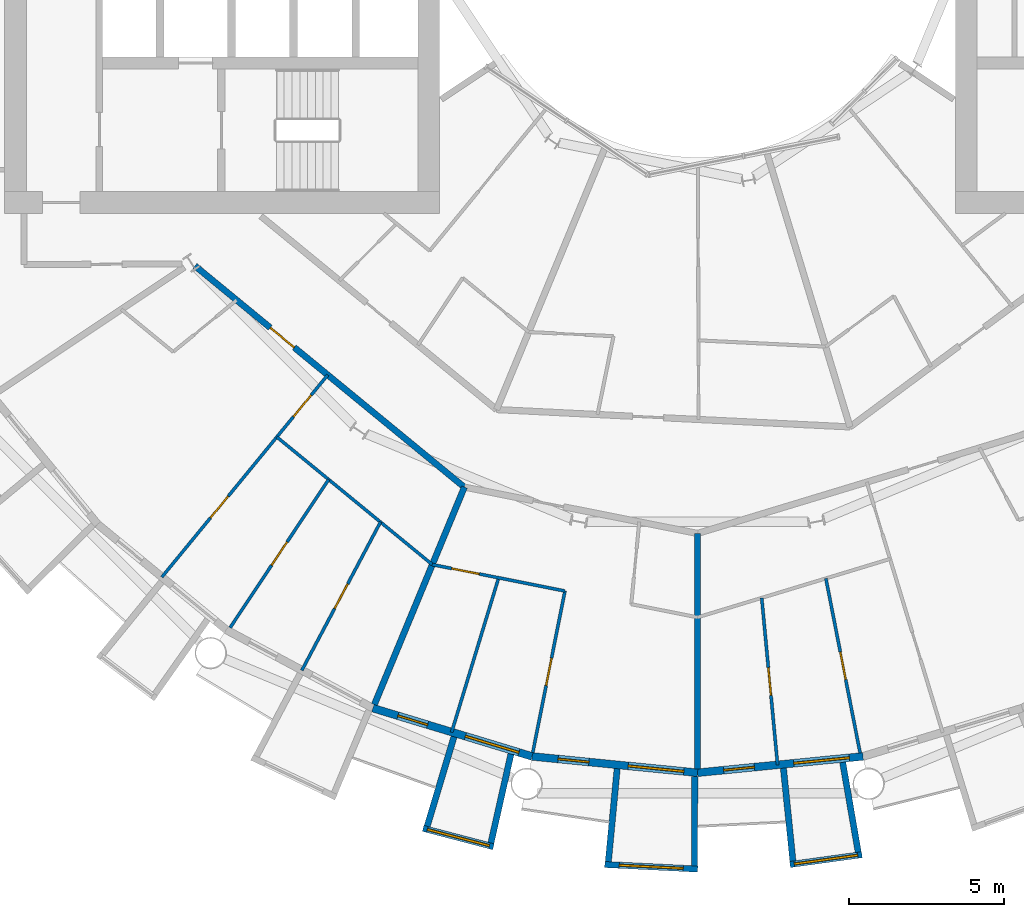
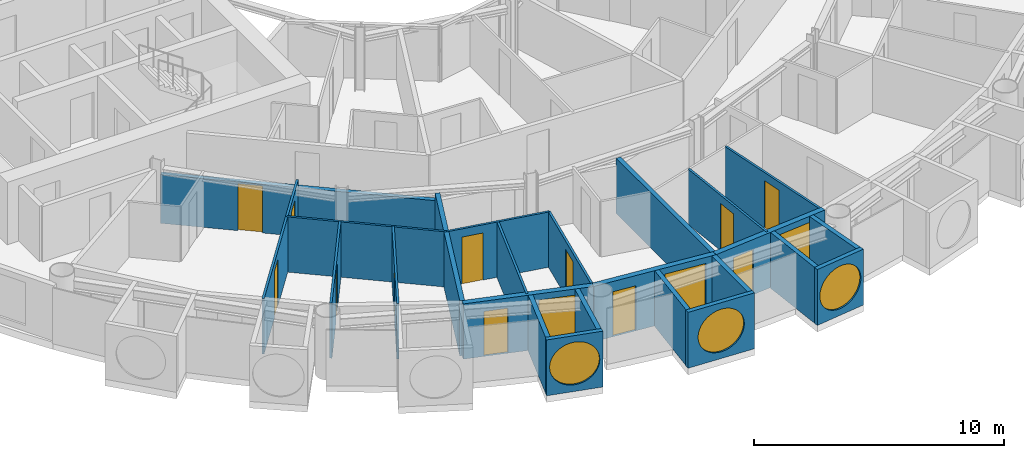
# One storey, part 13 of 26: 24 walls, 12 doors, 6 windows, 18 openings.
"""IFC4 building model written with IfcOpenShell, lengths in metres."""

import ifcopenshell
import ifcopenshell.guid

model = None  # the IFC model being written
_history = None  # IfcOwnerHistory: only IFC2X3 demands one
_inside = {}  # id of a spatial element -> (the spatial element, [elements in it])
_under = {}  # id of a project, library or spatial element -> (it, [spatial elements below it])
_declared = {}  # id of a project -> (the project, [libraries it declares])
_typed = {}  # id of a type object -> (the type object, [elements of that type])
_made_of = {}  # id of a material, layer set ... -> (it, [elements and type objects made of it])


def new_model(schema):
    """Start an empty IFC model of exactly this schema.

    Asked for "IFC4X3", IfcOpenShell would pick the latest addendum, in which some entities
    have other attributes; the version numbers below select the first issue.
    IFC2X3 requires an IfcOwnerHistory on every rooted entity: one is made here for all.
    """
    global model, _history
    if schema == "IFC4X3":
        model = ifcopenshell.file(schema_version=(4, 3, 0, 0))
    else:
        model = ifcopenshell.file(schema=schema)
    _inside.clear()
    _under.clear()
    _declared.clear()
    _typed.clear()
    _made_of.clear()
    _history = None
    if model.schema == "IFC2X3":
        org = make("IfcOrganization", Name="unknown")
        user = make(
            "IfcPersonAndOrganization",
            ThePerson=make("IfcPerson", FamilyName="unknown"),
            TheOrganization=org,
        )
        app = make(
            "IfcApplication",
            ApplicationDeveloper=org,
            Version="unknown",
            ApplicationFullName="unknown",
            ApplicationIdentifier="unknown",
        )
        _history = make(
            "IfcOwnerHistory",
            OwningUser=user,
            OwningApplication=app,
            ChangeAction="ADDED",
            CreationDate=0,
        )
    return model


def make(cls, **values):
    """One entity of the class cls with the attributes given. An attribute that is None is left unset."""
    return model.create_entity(
        cls, **{name: value for name, value in values.items() if value is not None}
    )


def rooted(cls, **values):
    """An entity with a GlobalId (a new one), such as an element, a storey or a relation."""
    return make(cls, GlobalId=ifcopenshell.guid.new(), OwnerHistory=_history, **values)


def si_unit(unit_type, name, prefix=None):
    """IfcSIUnit, for example si_unit("LENGTHUNIT", "METRE", prefix="MILLI")."""
    return make("IfcSIUnit", UnitType=unit_type, Prefix=prefix, Name=name)


def assignment(units):
    """IfcUnitAssignment: the units of a project."""
    return None if units is None else make("IfcUnitAssignment", Units=units)


def point(xyz):
    """IfcCartesianPoint."""
    return None if xyz is None else make("IfcCartesianPoint", Coordinates=xyz)


def direction(xyz):
    """IfcDirection."""
    return None if xyz is None else make("IfcDirection", DirectionRatios=xyz)


def frame(location, z_axis=None, x_axis=None):
    """IfcAxis2Placement3D, a coordinate frame: its origin and axes. An axis left out is left unset."""
    return make(
        "IfcAxis2Placement3D",
        Location=point(location),
        Axis=direction(z_axis),
        RefDirection=direction(x_axis),
    )


def frame_2d(location, x_axis=None):
    """IfcAxis2Placement2D, a coordinate frame in the plane: its origin and x axis."""
    return make(
        "IfcAxis2Placement2D", Location=point(location), RefDirection=direction(x_axis)
    )


def origin():
    """The frame at (0, 0, 0) with its axes left unset."""
    return frame((0.0, 0.0, 0.0))


def place(relative_to, where):
    """IfcLocalPlacement: puts the frame where relative to a parent placement (None: the world)."""
    return make(
        "IfcLocalPlacement", PlacementRelTo=relative_to, RelativePlacement=where
    )


def context(
    kind, dimensions, precision=None, world=None, true_north=None, identifier=None
):
    """IfcGeometricRepresentationContext, for example the 3D "Model" context."""
    return make(
        "IfcGeometricRepresentationContext",
        ContextIdentifier=identifier,
        ContextType=kind,
        CoordinateSpaceDimension=dimensions,
        Precision=precision,
        WorldCoordinateSystem=world,
        TrueNorth=true_north,
    )


def subcontext(parent, identifier, kind, view, scale=None):
    """IfcGeometricRepresentationSubContext, for example "Body" below "Model"."""
    return make(
        "IfcGeometricRepresentationSubContext",
        ContextIdentifier=identifier,
        ContextType=kind,
        ParentContext=parent,
        TargetScale=scale,
        TargetView=view,
    )


def project(units=None, contexts=None):
    """IfcProject with its units and contexts."""
    return rooted(
        "IfcProject",
        Name="project",
        RepresentationContexts=contexts,
        UnitsInContext=assignment(units),
    )


def spatial(cls, under=None, at=None, **own):
    """A site, building, storey or space (cls), placed at a placement, below another one or the project."""
    s = rooted(cls, ObjectPlacement=at, **own)
    if under is not None:
        _under.setdefault(under.id(), (under, []))[1].append(s)
    return s


def profile(cls, at=None, kind="AREA", **sizes):
    """A parametric profile (cls). Its sizes go by their IFC names, for example OverallWidth=200.0."""
    return make(cls, ProfileType=kind, Position=at, **sizes)


def rectangle(**sizes):
    """IfcRectangleProfileDef."""
    return profile("IfcRectangleProfileDef", **sizes)


def circle(**sizes):
    """IfcCircleProfileDef."""
    return profile("IfcCircleProfileDef", **sizes)


def extrude(swept, where, along, depth):
    """IfcExtrudedAreaSolid: the profile swept, set in the frame where, extruded along a direction by depth."""
    return make(
        "IfcExtrudedAreaSolid",
        SweptArea=swept,
        Position=where,
        ExtrudedDirection=direction(along),
        Depth=depth,
    )


def shape(context_of_items, identifier, shape_type, items):
    """IfcShapeRepresentation: the items that make up one representation, for example the "Body"."""
    return make(
        "IfcShapeRepresentation",
        ContextOfItems=context_of_items,
        RepresentationIdentifier=identifier,
        RepresentationType=shape_type,
        Items=items,
    )


def material(Name=None, Category=None):
    """IfcMaterial."""
    return make("IfcMaterial", Name=Name, Category=Category)


def layer(
    of_material, thickness, ventilated=None, Name=None, Category=None, Priority=None
):
    """IfcMaterialLayer: one layer of a wall or slab, of a material (None: an air gap)."""
    return make(
        "IfcMaterialLayer",
        Material=of_material,
        LayerThickness=thickness,
        IsVentilated=ventilated,
        Name=Name,
        Category=Category,
        Priority=Priority,
    )


def layer_set(layers, Name=None):
    """IfcMaterialLayerSet."""
    return make("IfcMaterialLayerSet", MaterialLayers=layers, LayerSetName=Name)


def made_of(thing, what):
    """Note that an element or type object is made of a material, layer set ...; save() writes the relation."""
    if what is not None:
        _made_of.setdefault(what.id(), (what, []))[1].append(thing)
    return thing


def type_object(cls, material=None, **own):
    """A type object (cls), such as IfcWallType, which elements share."""
    return made_of(rooted(cls, **own), material)


def element(
    cls,
    number,
    at=None,
    inside=None,
    cuts=None,
    type_object=None,
    material=None,
    context=None,
    identifier="Body",
    shape_type=None,
    held_by="IfcProductDefinitionShape",
    body=None,
    shapes=None,
    **own,
):
    """One element of the class cls, such as IfcWall. Its Tag is "e" and its number.

    at: its placement. inside: the storey or other place that contains it. cuts: it is an
    opening in that element (IfcRelVoidsElement). A single representation is given by context,
    identifier, shape_type and body (its items); several are given by shapes. held_by: the class
    of the entity that holds the representations. save() writes the other relations.
    """
    e = rooted(cls, Tag="e%d" % number, ObjectPlacement=at, **own)
    if body is not None:
        shapes = [shape(context, identifier, shape_type, body)]
    if shapes is not None:
        e.Representation = make(held_by, Representations=shapes)
    if inside is not None:
        _inside.setdefault(inside.id(), (inside, []))[1].append(e)
    if cuts is not None:
        rooted(
            "IfcRelVoidsElement", RelatingBuildingElement=cuts, RelatedOpeningElement=e
        )
    if type_object is not None:
        _typed.setdefault(type_object.id(), (type_object, []))[1].append(e)
    return made_of(e, material)


def fill(opening, filler):
    """IfcRelFillsElement: the door or window that sits in an opening."""
    return rooted(
        "IfcRelFillsElement",
        RelatingOpeningElement=opening,
        RelatedBuildingElement=filler,
    )


def aggregate(whole, parts):
    """IfcRelAggregates: a whole, such as a stair, and the parts it consists of."""
    return rooted("IfcRelAggregates", RelatingObject=whole, RelatedObjects=parts)


def save(model, path):
    """Write the relations noted so far, then the file.

    IfcRelAggregates (storeys below a building ...), IfcRelContainedInSpatialStructure (elements
    in a storey), IfcRelDefinesByType, IfcRelAssociatesMaterial and IfcRelDeclares: one each for
    every whole, place, type object, material and project.
    """
    for whole, parts in _under.values():
        aggregate(whole, parts)
    for where, things in _inside.values():
        rooted(
            "IfcRelContainedInSpatialStructure",
            RelatedElements=things,
            RelatingStructure=where,
        )
    for kind, things in _typed.values():
        rooted("IfcRelDefinesByType", RelatedObjects=things, RelatingType=kind)
    for what, things in _made_of.values():
        rooted("IfcRelAssociatesMaterial", RelatedObjects=things, RelatingMaterial=what)
    for by, libraries in _declared.values():
        rooted("IfcRelDeclares", RelatingContext=by, RelatedDefinitions=libraries)
    model.write(path)


model = new_model("IFC4")

# Units and contexts
model_context = context("Model", 3, precision=1e-05, world=origin(), true_north=direction((0.0, 1.0)))
body_context = subcontext(model_context, "Body", "Model", "MODEL_VIEW")
ifc_project = project(units=[si_unit("LENGTHUNIT", "METRE"), si_unit("AREAUNIT", "SQUARE_METRE"), si_unit("VOLUMEUNIT", "CUBIC_METRE"), si_unit("PLANEANGLEUNIT", "RADIAN"), si_unit("MASSUNIT", "GRAM", prefix="KILO")], contexts=[model_context])

# Site, building, storey
site_placement = place(None, origin())
site = spatial("IfcSite", under=ifc_project, at=site_placement, CompositionType="ELEMENT")
building_placement = place(site_placement, origin())
building = spatial("IfcBuilding", under=site, at=building_placement, Name="Maasbend Ring Residences", CompositionType="ELEMENT")
storey_placement = place(building_placement, frame((0.0, 0.0, 69.699951171875)))
storey = spatial("IfcBuildingStorey", under=building, at=storey_placement, Name="L19", CompositionType="ELEMENT", Elevation=69.699951171875)

# Wall, opening, door
ifc_material_1 = material(Name="Concrete C30/37", Category="concrete")
ifc_layer_1 = layer(ifc_material_1, 0.199951171875)
ifc_layer_set_1 = layer_set([ifc_layer_1], Name="Concrete C30/37")
wall_type_1 = type_object("IfcWallType", Name="CORRIDOR WALL 200 CONCRETE", PredefinedType="PARTITIONING", material=ifc_layer_set_1)
wall_1_placement = place(storey_placement, frame((-16.172119140625, -10.989990234375, 0.0), z_axis=(0.0, 0.0, 1.0), x_axis=(0.772669779479, -0.634808169355, 0.0)))
wall_1 = element("IfcWall", 1, at=wall_1_placement, inside=storey, type_object=wall_type_1, Name="U-L19-w013", PredefinedType="PARTITIONING", context=body_context, shape_type="SweptSolid", body=[
    extrude(rectangle(XDim=11.2080078125, YDim=0.199951171875, at=frame_2d((5.60400390625, 0.0))), origin(), (0.0, 0.0, 1.0), 2.380126953125),
])
opening_1_placement = place(wall_1_placement, frame((3.135009765625, 0.0, 0.0)))
opening_1 = element("IfcOpeningElement", 2, at=opening_1_placement, cuts=wall_1, Name="Opening D-1933", PredefinedType="OPENING", context=body_context, shape_type="SweptSolid", body=[
    extrude(rectangle(XDim=1.0, YDim=2.300048828125, at=frame_2d((0.5, 1.14990234375))), frame((0.0, 0.10986328125, 0.0), z_axis=(0.0, -1.0, 0.0), x_axis=(1.0, 0.0, 0.0)), (0.0, 0.0, 1.0), 0.219970703125),
])
ifc_material_2 = material(Name="Timber, fire-rated, painted", Category="wood")
door_type_1 = type_object("IfcDoorType", Name="FLAT ENTRANCE DOOR 1000 X 2300 FIRE-RATED", OperationType="NOTDEFINED", PredefinedType="DOOR", material=ifc_material_2)
door_1_placement = place(opening_1_placement, origin())
door_1 = element("IfcDoor", 3, at=door_1_placement, inside=storey, type_object=door_type_1, Name="D-1933", OperationType="SINGLE_SWING_LEFT", OverallHeight=2.300048828125, OverallWidth=1.0, PredefinedType="DOOR", context=body_context, shape_type="SweptSolid", body=[
    extrude(rectangle(XDim=1.0, YDim=2.300048828125, at=frame_2d((0.5, 1.14990234375))), frame((0.0, 0.02490234375, 0.0), z_axis=(0.0, -1.0, 0.0), x_axis=(1.0, 0.0, 0.0)), (0.0, 0.0, 1.0), 0.050048828125),
])
fill(opening_1, door_1)

# Wall, opening, window
ifc_material_3 = material(Name="Pale anodised aluminium panel", Category="aluminium")
ifc_layer_2 = layer(ifc_material_3, 0.199951171875)
ifc_layer_set_2 = layer_set([ifc_layer_2], Name="EW-BOX")
wall_type_2 = type_object("IfcWallType", Name="EW-BOX", PredefinedType="SOLIDWALL", material=ifc_layer_set_2)
wall_2_placement = place(storey_placement, frame((-8.827880859375, -29.090087890625, -0.030029296875), z_axis=(0.0, 0.0, 1.0), x_axis=(0.967377102346, -0.253340762326, 0.0)))
wall_2 = element("IfcWall", 4, at=wall_2_placement, inside=storey, type_object=wall_type_2, Name="Box front S08", PredefinedType="SOLIDWALL", context=body_context, shape_type="SweptSolid", body=[
    extrude(rectangle(XDim=2.3359375, YDim=0.199951171875, at=frame_2d((1.16796875, 0.0))), origin(), (0.0, 0.0, 1.0), 2.72998046875),
])
opening_2_placement = place(wall_2_placement, frame((0.128173828125, 0.0, 0.330078125)))
opening_2 = element("IfcOpeningElement", 5, at=opening_2_placement, cuts=wall_2, Name="Opening W-RD", PredefinedType="OPENING", context=body_context, shape_type="SweptSolid", body=[
    extrude(circle(Radius=1.0400390625, at=frame_2d((1.0400390625, 1.0400390625))), frame((0.0, 0.10986328125, 0.0), z_axis=(0.0, -1.0, 0.0), x_axis=(1.0, 0.0, 0.0)), (0.0, 0.0, 1.0), 0.219970703125),
])
ifc_material_4 = material(Name="Aluminium and clear glass", Category="aluminium")
window_type_1 = type_object("IfcWindowType", Name="W-RD", PartitioningType="SINGLE_PANEL", PredefinedType="WINDOW", material=ifc_material_4)
window_1_placement = place(opening_2_placement, origin())
window_1 = element("IfcWindow", 6, at=window_1_placement, inside=storey, type_object=window_type_1, Name="Round window S08", OverallHeight=2.080078125, OverallWidth=2.080078125, PartitioningType="SINGLE_PANEL", PredefinedType="WINDOW", context=body_context, shape_type="SweptSolid", body=[
    extrude(circle(Radius=1.0400390625, at=frame_2d((1.0400390625, 1.0400390625))), frame((0.0, 0.030029296875, 0.0), z_axis=(0.0, -1.0, 0.0), x_axis=(1.0, 0.0, 0.0)), (0.0, 0.0, 1.0), 0.06005859375),
])
fill(opening_2, window_1)

# Walls
wall_3_placement = place(storey_placement, frame((-7.8369140625, -26.14404296875, -0.030029296875), z_axis=(0.0, 0.0, 1.0), x_axis=(-0.287064767992, -0.957911174889, 0.0)))
element("IfcWall", 7, at=wall_3_placement, inside=storey, type_object=wall_type_2, Name="Box side wall S08 left", PredefinedType="SOLIDWALL", context=body_context, shape_type="SweptSolid", body=[
    extrude(rectangle(XDim=3.00634765625, YDim=0.199951171875, at=frame_2d((1.503173828125, 0.0))), origin(), (0.0, 0.0, 1.0), 2.72998046875),
])
wall_4_placement = place(storey_placement, frame((-6.00390625, -26.699951171875, -0.030029296875), z_axis=(0.0, 0.0, 1.0), x_axis=(-0.219609259383, -0.975587911566, 0.0)))
element("IfcWall", 8, at=wall_4_placement, inside=storey, type_object=wall_type_2, Name="Box side wall S08 right", PredefinedType="SOLIDWALL", context=body_context, shape_type="SweptSolid", body=[
    extrude(rectangle(XDim=2.9326171875, YDim=0.199951171875, at=frame_2d((1.46630859375, 0.0))), origin(), (0.0, 0.0, 1.0), 2.72998046875),
])

# Wall, opening, window
wall_5_placement = place(storey_placement, frame((-2.985107421875, -30.2529296875, -0.030029296875), z_axis=(0.0, 0.0, 1.0), x_axis=(0.998794083011, -0.049095618353, 0.0)))
wall_5 = element("IfcWall", 9, at=wall_5_placement, inside=storey, type_object=wall_type_2, Name="Box front S10", PredefinedType="SOLIDWALL", context=body_context, shape_type="SweptSolid", body=[
    extrude(rectangle(XDim=2.99365234375, YDim=0.199951171875, at=frame_2d((1.496826171875, 0.0))), origin(), (0.0, 0.0, 1.0), 2.72998046875),
])
opening_3_placement = place(wall_5_placement, frame((0.45654296875, 0.0, 0.330078125)))
opening_3 = element("IfcOpeningElement", 10, at=opening_3_placement, cuts=wall_5, Name="Opening W-RD", PredefinedType="OPENING", context=body_context, shape_type="SweptSolid", body=[
    extrude(circle(Radius=1.0400390625, at=frame_2d((1.0400390625, 1.0400390625))), frame((0.0, 0.10986328125, 0.0), z_axis=(0.0, -1.0, 0.0), x_axis=(1.0, 0.0, 0.0)), (0.0, 0.0, 1.0), 0.219970703125),
])
window_2_placement = place(opening_3_placement, origin())
window_2 = element("IfcWindow", 11, at=window_2_placement, inside=storey, type_object=window_type_1, Name="Round window S10", OverallHeight=2.080078125, OverallWidth=2.080078125, PartitioningType="SINGLE_PANEL", PredefinedType="WINDOW", context=body_context, shape_type="SweptSolid", body=[
    extrude(circle(Radius=1.0400390625, at=frame_2d((1.0400390625, 1.0400390625))), frame((0.0, 0.030029296875, 0.0), z_axis=(0.0, -1.0, 0.0), x_axis=(1.0, 0.0, 0.0)), (0.0, 0.0, 1.0), 0.06005859375),
])
fill(opening_3, window_2)

# Walls
wall_6_placement = place(storey_placement, frame((-2.5859375, -27.1708984375, -0.030029296875), z_axis=(0.0, 0.0, 1.0), x_axis=(-0.094548432284, -0.995520262954, 0.0)))
element("IfcWall", 12, at=wall_6_placement, inside=storey, type_object=wall_type_2, Name="Box side wall S10 left", PredefinedType="SOLIDWALL", context=body_context, shape_type="SweptSolid", body=[
    extrude(rectangle(XDim=3.005615234375, YDim=0.199951171875, at=frame_2d((1.5029296875, 0.0))), origin(), (0.0, 0.0, 1.0), 2.72998046875),
])
wall_7_placement = place(storey_placement, frame((-0.090087890625, -27.4169921875, -0.030029296875), z_axis=(0.0, 0.0, 1.0), x_axis=(-0.00347308367, -0.999993968827, 0.0)))
element("IfcWall", 13, at=wall_7_placement, inside=storey, type_object=wall_type_2, Name="Box side wall S10 right", PredefinedType="SOLIDWALL", context=body_context, shape_type="SweptSolid", body=[
    extrude(rectangle(XDim=2.882080078125, YDim=0.199951171875, at=frame_2d((1.44091796875, 0.0))), origin(), (0.0, 0.0, 1.0), 2.72998046875),
])

# Wall, opening, window
wall_8_placement = place(storey_placement, frame((2.97607421875, -30.25390625, -0.030029296875), z_axis=(0.0, 0.0, 1.0), x_axis=(0.990696111261, 0.136092671119, 0.0)))
wall_8 = element("IfcWall", 14, at=wall_8_placement, inside=storey, type_object=wall_type_2, Name="Box front S12", PredefinedType="SOLIDWALL", context=body_context, shape_type="SweptSolid", body=[
    extrude(rectangle(XDim=2.335693359375, YDim=0.199951171875, at=frame_2d((1.16796875, 0.0))), origin(), (0.0, 0.0, 1.0), 2.72998046875),
])
opening_4_placement = place(wall_8_placement, frame((0.128173828125, 0.0, 0.330078125)))
opening_4 = element("IfcOpeningElement", 15, at=opening_4_placement, cuts=wall_8, Name="Opening W-RD", PredefinedType="OPENING", context=body_context, shape_type="SweptSolid", body=[
    extrude(circle(Radius=1.0400390625, at=frame_2d((1.0400390625, 1.0400390625))), frame((0.0, 0.10986328125, 0.0), z_axis=(0.0, -1.0, 0.0), x_axis=(1.0, 0.0, 0.0)), (0.0, 0.0, 1.0), 0.219970703125),
])
window_3_placement = place(opening_4_placement, origin())
window_3 = element("IfcWindow", 16, at=window_3_placement, inside=storey, type_object=window_type_1, Name="Round window S12", OverallHeight=2.080078125, OverallWidth=2.080078125, PartitioningType="SINGLE_PANEL", PredefinedType="WINDOW", context=body_context, shape_type="SweptSolid", body=[
    extrude(circle(Radius=1.0400390625, at=frame_2d((1.0400390625, 1.0400390625))), frame((0.0, 0.030029296875, 0.0), z_axis=(0.0, -1.0, 0.0), x_axis=(1.0, 0.0, 0.0)), (0.0, 0.0, 1.0), 0.06005859375),
])
fill(opening_4, window_3)

# Walls
wall_9_placement = place(storey_placement, frame((2.763916015625, -27.153076171875, -0.030029296875), z_axis=(0.0, 0.0, 1.0), x_axis=(0.101505487237, -0.994834979311, 0.0)))
element("IfcWall", 17, at=wall_9_placement, inside=storey, type_object=wall_type_2, Name="Box side wall S12 left", PredefinedType="SOLIDWALL", context=body_context, shape_type="SweptSolid", body=[
    extrude(rectangle(XDim=3.006591796875, YDim=0.199951171875, at=frame_2d((1.50341796875, 0.0))), origin(), (0.0, 0.0, 1.0), 2.72998046875),
])
wall_10_placement = place(storey_placement, frame((4.6708984375, -26.966064453125, -0.030029296875), z_axis=(0.0, 0.0, 1.0), x_axis=(0.170539878907, -0.985350774954, 0.0)))
element("IfcWall", 18, at=wall_10_placement, inside=storey, type_object=wall_type_2, Name="Box side wall S12 right", PredefinedType="SOLIDWALL", context=body_context, shape_type="SweptSolid", body=[
    extrude(rectangle(XDim=2.931884765625, YDim=0.199951171875, at=frame_2d((1.4658203125, 0.0))), origin(), (0.0, 0.0, 1.0), 2.72998046875),
])

# Wall, openings, door, window
ifc_material_5 = material(Name="Aluminium clad insulated panel", Category="aluminium")
ifc_layer_3 = layer(ifc_material_5, 0.25)
ifc_layer_set_3 = layer_set([ifc_layer_3], Name="EW-GL")
wall_type_3 = type_object("IfcWallType", Name="EW-GL", PredefinedType="SOLIDWALL", material=ifc_layer_set_3)
wall_11_placement = place(storey_placement, frame((-10.447021484375, -25.221923828125, 0.0), z_axis=(0.0, 0.0, 1.0), x_axis=(0.956965678721, -0.290201119486, 0.0)))
wall_11 = element("IfcWall", 19, at=wall_11_placement, inside=storey, type_object=wall_type_3, Name="External wall S04", PredefinedType="SOLIDWALL", context=body_context, shape_type="SweptSolid", body=[
    extrude(rectangle(XDim=5.351318359375, YDim=0.25, at=frame_2d((2.67578125, 0.0))), origin(), (0.0, 0.0, 1.0), 2.699951171875),
])
opening_5_placement = place(wall_11_placement, frame((0.841064453125, 0.0, 0.0)))
opening_5 = element("IfcOpeningElement", 20, at=opening_5_placement, cuts=wall_11, Name="Opening D-LG", PredefinedType="OPENING", context=body_context, shape_type="SweptSolid", body=[
    extrude(rectangle(XDim=1.0, YDim=2.199951171875, at=frame_2d((0.5, 1.10009765625))), frame((0.0, 0.135009765625, 0.0), z_axis=(0.0, -1.0, 0.0), x_axis=(1.0, 0.0, 0.0)), (0.0, 0.0, 1.0), 0.27001953125),
])
opening_6_placement = place(wall_11_placement, frame((3.110595703125, 0.0, 0.300048828125)))
opening_6 = element("IfcOpeningElement", 21, at=opening_6_placement, cuts=wall_11, Name="Opening W-BX", PredefinedType="OPENING", context=body_context, shape_type="SweptSolid", body=[
    extrude(rectangle(XDim=1.800048828125, YDim=2.10009765625, at=frame_2d((0.89990234375, 1.050048828125))), frame((0.0, 0.135009765625, 0.0), z_axis=(0.0, -1.0, 0.0), x_axis=(1.0, 0.0, 0.0)), (0.0, 0.0, 1.0), 0.27001953125),
])
ifc_material_6 = material(Name="Aluminium and clear glass", Category="aluminium")
door_type_2 = type_object("IfcDoorType", Name="D-LG", OperationType="SINGLE_SWING_LEFT", PredefinedType="DOOR", material=ifc_material_6)
door_2_placement = place(opening_5_placement, origin())
door_2 = element("IfcDoor", 22, at=door_2_placement, inside=storey, type_object=door_type_2, Name="Loggia door S07", OperationType="SINGLE_SWING_LEFT", OverallHeight=2.199951171875, OverallWidth=1.0, PredefinedType="DOOR", context=body_context, shape_type="SweptSolid", body=[
    extrude(rectangle(XDim=1.0, YDim=2.199951171875, at=frame_2d((0.5, 1.10009765625))), frame((0.0, 0.02490234375, 0.0), z_axis=(0.0, -1.0, 0.0), x_axis=(1.0, 0.0, 0.0)), (0.0, 0.0, 1.0), 0.050048828125),
])
fill(opening_5, door_2)
ifc_material_7 = material(Name="Aluminium and clear glass", Category="aluminium")
window_type_2 = type_object("IfcWindowType", Name="W-BX", PartitioningType="DOUBLE_PANEL_VERTICAL", PredefinedType="WINDOW", material=ifc_material_7)
window_4_placement = place(opening_6_placement, origin())
window_4 = element("IfcWindow", 23, at=window_4_placement, inside=storey, type_object=window_type_2, Name="Window S08 room to box", OverallHeight=2.10009765625, OverallWidth=1.800048828125, PartitioningType="SINGLE_PANEL", PredefinedType="WINDOW", context=body_context, shape_type="SweptSolid", body=[
    extrude(rectangle(XDim=1.800048828125, YDim=2.10009765625, at=frame_2d((0.89990234375, 1.050048828125))), frame((0.0, 0.030029296875, 0.0), z_axis=(0.0, -1.0, 0.0), x_axis=(1.0, 0.0, 0.0)), (0.0, 0.0, 1.0), 0.06005859375),
])
fill(opening_6, window_4)

wall_12_placement = place(storey_placement, frame((-5.325927734375, -26.77490234375, 0.0), z_axis=(0.0, 0.0, 1.0), x_axis=(0.995173996315, -0.098126026407, 0.0)))
wall_12 = element("IfcWall", 24, at=wall_12_placement, inside=storey, type_object=wall_type_3, Name="External wall S05", PredefinedType="SOLIDWALL", context=body_context, shape_type="SweptSolid", body=[
    extrude(rectangle(XDim=5.351806640625, YDim=0.25, at=frame_2d((2.67578125, 0.0))), origin(), (0.0, 0.0, 1.0), 2.699951171875),
])
opening_7_placement = place(wall_12_placement, frame((0.841064453125, 0.0, 0.0)))
opening_7 = element("IfcOpeningElement", 25, at=opening_7_placement, cuts=wall_12, Name="Opening D-LG", PredefinedType="OPENING", context=body_context, shape_type="SweptSolid", body=[
    extrude(rectangle(XDim=1.0, YDim=2.199951171875, at=frame_2d((0.5, 1.10009765625))), frame((0.0, 0.135009765625, 0.0), z_axis=(0.0, -1.0, 0.0), x_axis=(1.0, 0.0, 0.0)), (0.0, 0.0, 1.0), 0.27001953125),
])
opening_8_placement = place(wall_12_placement, frame((3.110595703125, 0.0, 0.300048828125)))
opening_8 = element("IfcOpeningElement", 26, at=opening_8_placement, cuts=wall_12, Name="Opening W-BX", PredefinedType="OPENING", context=body_context, shape_type="SweptSolid", body=[
    extrude(rectangle(XDim=1.800048828125, YDim=2.10009765625, at=frame_2d((0.89990234375, 1.050048828125))), frame((0.0, 0.135009765625, 0.0), z_axis=(0.0, -1.0, 0.0), x_axis=(1.0, 0.0, 0.0)), (0.0, 0.0, 1.0), 0.27001953125),
])
door_3_placement = place(opening_7_placement, origin())
door_3 = element("IfcDoor", 27, at=door_3_placement, inside=storey, type_object=door_type_2, Name="Loggia door S09", OperationType="SINGLE_SWING_LEFT", OverallHeight=2.199951171875, OverallWidth=1.0, PredefinedType="DOOR", context=body_context, shape_type="SweptSolid", body=[
    extrude(rectangle(XDim=1.0, YDim=2.199951171875, at=frame_2d((0.5, 1.10009765625))), frame((0.0, 0.02490234375, 0.0), z_axis=(0.0, -1.0, 0.0), x_axis=(1.0, 0.0, 0.0)), (0.0, 0.0, 1.0), 0.050048828125),
])
fill(opening_7, door_3)
window_5_placement = place(opening_8_placement, origin())
window_5 = element("IfcWindow", 28, at=window_5_placement, inside=storey, type_object=window_type_2, Name="Window S10 room to box", OverallHeight=2.10009765625, OverallWidth=1.800048828125, PartitioningType="SINGLE_PANEL", PredefinedType="WINDOW", context=body_context, shape_type="SweptSolid", body=[
    extrude(rectangle(XDim=1.800048828125, YDim=2.10009765625, at=frame_2d((0.89990234375, 1.050048828125))), frame((0.0, 0.030029296875, 0.0), z_axis=(0.0, -1.0, 0.0), x_axis=(1.0, 0.0, 0.0)), (0.0, 0.0, 1.0), 0.06005859375),
])
fill(opening_8, window_5)

wall_13_placement = place(storey_placement, frame((0.0, -27.300048828125, 0.0), z_axis=(0.0, 0.0, 1.0), x_axis=(0.995173996315, 0.098126026407, 0.0)))
wall_13 = element("IfcWall", 29, at=wall_13_placement, inside=storey, type_object=wall_type_3, Name="External wall S06", PredefinedType="SOLIDWALL", context=body_context, shape_type="SweptSolid", body=[
    extrude(rectangle(XDim=5.351806640625, YDim=0.25, at=frame_2d((2.67578125, 0.0))), origin(), (0.0, 0.0, 1.0), 2.699951171875),
])
opening_9_placement = place(wall_13_placement, frame((0.841064453125, 0.0, 0.0)))
opening_9 = element("IfcOpeningElement", 30, at=opening_9_placement, cuts=wall_13, Name="Opening D-LG", PredefinedType="OPENING", context=body_context, shape_type="SweptSolid", body=[
    extrude(rectangle(XDim=1.0, YDim=2.199951171875, at=frame_2d((0.5, 1.10009765625))), frame((0.0, 0.135009765625, 0.0), z_axis=(0.0, -1.0, 0.0), x_axis=(1.0, 0.0, 0.0)), (0.0, 0.0, 1.0), 0.27001953125),
])
opening_10_placement = place(wall_13_placement, frame((3.110595703125, 0.0, 0.300048828125)))
opening_10 = element("IfcOpeningElement", 31, at=opening_10_placement, cuts=wall_13, Name="Opening W-BX", PredefinedType="OPENING", context=body_context, shape_type="SweptSolid", body=[
    extrude(rectangle(XDim=1.800048828125, YDim=2.10009765625, at=frame_2d((0.89990234375, 1.050048828125))), frame((0.0, 0.135009765625, 0.0), z_axis=(0.0, -1.0, 0.0), x_axis=(1.0, 0.0, 0.0)), (0.0, 0.0, 1.0), 0.27001953125),
])
door_4_placement = place(opening_9_placement, origin())
door_4 = element("IfcDoor", 32, at=door_4_placement, inside=storey, type_object=door_type_2, Name="Loggia door S11", OperationType="SINGLE_SWING_LEFT", OverallHeight=2.199951171875, OverallWidth=1.0, PredefinedType="DOOR", context=body_context, shape_type="SweptSolid", body=[
    extrude(rectangle(XDim=1.0, YDim=2.199951171875, at=frame_2d((0.5, 1.10009765625))), frame((0.0, 0.02490234375, 0.0), z_axis=(0.0, -1.0, 0.0), x_axis=(1.0, 0.0, 0.0)), (0.0, 0.0, 1.0), 0.050048828125),
])
fill(opening_9, door_4)
window_6_placement = place(opening_10_placement, origin())
window_6 = element("IfcWindow", 33, at=window_6_placement, inside=storey, type_object=window_type_2, Name="Window S12 room to box", OverallHeight=2.10009765625, OverallWidth=1.800048828125, PartitioningType="SINGLE_PANEL", PredefinedType="WINDOW", context=body_context, shape_type="SweptSolid", body=[
    extrude(rectangle(XDim=1.800048828125, YDim=2.10009765625, at=frame_2d((0.89990234375, 1.050048828125))), frame((0.0, 0.030029296875, 0.0), z_axis=(0.0, -1.0, 0.0), x_axis=(1.0, 0.0, 0.0)), (0.0, 0.0, 1.0), 0.06005859375),
])
fill(opening_10, window_6)

# Wall, opening, door
ifc_material_8 = material(Name="Gypsum board on steel studs", Category="steel")
ifc_layer_4 = layer(ifc_material_8, 0.10009765625)
ifc_layer_set_4 = layer_set([ifc_layer_4], Name="PARTITION 100 GYPSUM")
wall_type_4 = type_object("IfcWallType", Name="PARTITION 100 GYPSUM", PredefinedType="PARTITIONING", material=ifc_layer_set_4)
wall_14_placement = place(storey_placement, frame((-8.535888671875, -20.60302734375, 0.0), z_axis=(0.0, 0.0, 1.0), x_axis=(0.980795826794, -0.195037294239, 0.0)))
wall_14 = element("IfcWall", 34, at=wall_14_placement, inside=storey, type_object=wall_type_4, Name="U-L19-w001", PredefinedType="PARTITIONING", context=body_context, shape_type="SweptSolid", body=[
    extrude(rectangle(XDim=4.352294921875, YDim=0.10009765625, at=frame_2d((2.17626953125, 0.0))), origin(), (0.0, 0.0, 1.0), 2.699951171875),
])
opening_11_placement = place(wall_14_placement, frame((0.638916015625, 0.0, 0.0)))
opening_11 = element("IfcOpeningElement", 35, at=opening_11_placement, cuts=wall_14, Name="Opening D-1942", PredefinedType="OPENING", context=body_context, shape_type="SweptSolid", body=[
    extrude(rectangle(XDim=0.89990234375, YDim=2.300048828125, at=frame_2d((0.449951171875, 1.14990234375))), frame((0.0, 0.06005859375, 0.0), z_axis=(0.0, -1.0, 0.0), x_axis=(1.0, 0.0, 0.0)), (0.0, 0.0, 1.0), 0.1201171875),
])
ifc_material_9 = material(Name="Timber, painted", Category="wood")
door_type_3 = type_object("IfcDoorType", Name="INTERNAL DOOR 900 X 2300", OperationType="NOTDEFINED", PredefinedType="DOOR", material=ifc_material_9)
door_5_placement = place(opening_11_placement, origin())
door_5 = element("IfcDoor", 36, at=door_5_placement, inside=storey, type_object=door_type_3, Name="D-1942", OperationType="SINGLE_SWING_LEFT", OverallHeight=2.300048828125, OverallWidth=0.89990234375, PredefinedType="DOOR", context=body_context, shape_type="SweptSolid", body=[
    extrude(rectangle(XDim=0.89990234375, YDim=2.300048828125, at=frame_2d((0.449951171875, 1.14990234375))), frame((0.0, 0.02490234375, 0.0), z_axis=(0.0, -1.0, 0.0), x_axis=(1.0, 0.0, 0.0)), (0.0, 0.0, 1.0), 0.050048828125),
])
fill(opening_11, door_5)

# Wall
wall_15_placement = place(storey_placement, frame((-13.5380859375, -16.49609375, 0.0), z_axis=(0.0, 0.0, 1.0), x_axis=(0.773000340237, -0.634405606843, 0.0)))
element("IfcWall", 37, at=wall_15_placement, inside=storey, type_object=wall_type_4, Name="U-L19-w008", PredefinedType="PARTITIONING", context=body_context, shape_type="SweptSolid", body=[
    extrude(rectangle(XDim=6.4736328125, YDim=0.10009765625, at=frame_2d((3.23681640625, 0.0))), origin(), (0.0, 0.0, 1.0), 2.699951171875),
])

# Wall, openings, doors
wall_16_placement = place(storey_placement, frame((-17.239990234375, -21.007080078125, 0.0), z_axis=(0.0, 0.0, 1.0), x_axis=(0.634396151441, 0.77300810024, 0.0)))
wall_16 = element("IfcWall", 38, at=wall_16_placement, inside=storey, type_object=wall_type_4, Name="U-L19-w034", PredefinedType="PARTITIONING", context=body_context, shape_type="SweptSolid", body=[
    extrude(rectangle(XDim=8.419189453125, YDim=0.10009765625, at=frame_2d((4.20947265625, 0.0))), origin(), (0.0, 0.0, 1.0), 2.699951171875),
])
opening_12_placement = place(wall_16_placement, frame((6.678955078125, 0.0, 0.0)))
opening_12 = element("IfcOpeningElement", 39, at=opening_12_placement, cuts=wall_16, Name="Opening D-1935", PredefinedType="OPENING", context=body_context, shape_type="SweptSolid", body=[
    extrude(rectangle(XDim=0.89990234375, YDim=2.300048828125, at=frame_2d((0.449951171875, 1.14990234375))), frame((0.0, 0.06005859375, 0.0), z_axis=(0.0, -1.0, 0.0), x_axis=(1.0, 0.0, 0.0)), (0.0, 0.0, 1.0), 0.1201171875),
])
opening_13_placement = place(wall_16_placement, frame((2.468017578125, 0.0, 0.0)))
opening_13 = element("IfcOpeningElement", 40, at=opening_13_placement, cuts=wall_16, Name="Opening D-1936", PredefinedType="OPENING", context=body_context, shape_type="SweptSolid", body=[
    extrude(rectangle(XDim=0.89990234375, YDim=2.300048828125, at=frame_2d((0.449951171875, 1.14990234375))), frame((0.0, 0.06005859375, 0.0), z_axis=(0.0, -1.0, 0.0), x_axis=(1.0, 0.0, 0.0)), (0.0, 0.0, 1.0), 0.1201171875),
])
door_6_placement = place(opening_12_placement, origin())
door_6 = element("IfcDoor", 41, at=door_6_placement, inside=storey, type_object=door_type_3, Name="D-1935", OperationType="SINGLE_SWING_RIGHT", OverallHeight=2.300048828125, OverallWidth=0.89990234375, PredefinedType="DOOR", context=body_context, shape_type="SweptSolid", body=[
    extrude(rectangle(XDim=0.89990234375, YDim=2.300048828125, at=frame_2d((0.449951171875, 1.14990234375))), frame((0.0, 0.02490234375, 0.0), z_axis=(0.0, -1.0, 0.0), x_axis=(1.0, 0.0, 0.0)), (0.0, 0.0, 1.0), 0.050048828125),
])
fill(opening_12, door_6)
door_7_placement = place(opening_13_placement, origin())
door_7 = element("IfcDoor", 42, at=door_7_placement, inside=storey, type_object=door_type_3, Name="D-1936", OperationType="SINGLE_SWING_LEFT", OverallHeight=2.300048828125, OverallWidth=0.89990234375, PredefinedType="DOOR", context=body_context, shape_type="SweptSolid", body=[
    extrude(rectangle(XDim=0.89990234375, YDim=2.300048828125, at=frame_2d((0.449951171875, 1.14990234375))), frame((0.0, 0.02490234375, 0.0), z_axis=(0.0, -1.0, 0.0), x_axis=(1.0, 0.0, 0.0)), (0.0, 0.0, 1.0), 0.050048828125),
])
fill(opening_13, door_7)

# Wall, opening, door
wall_17_placement = place(storey_placement, frame((-15.041015625, -22.632080078125, 0.0), z_axis=(0.0, 0.0, 1.0), x_axis=(0.553637025191, 0.83275809473, 0.0)))
wall_17 = element("IfcWall", 43, at=wall_17_placement, inside=storey, type_object=wall_type_4, Name="U-L19-w037", PredefinedType="PARTITIONING", context=body_context, shape_type="SweptSolid", body=[
    extrude(rectangle(XDim=5.7255859375, YDim=0.10009765625, at=frame_2d((2.86279296875, 0.0))), origin(), (0.0, 0.0, 1.0), 2.699951171875),
])
opening_14_placement = place(wall_17_placement, frame((2.412109375, 0.0, 0.0)))
opening_14 = element("IfcOpeningElement", 44, at=opening_14_placement, cuts=wall_17, Name="Opening D-1937", PredefinedType="OPENING", context=body_context, shape_type="SweptSolid", body=[
    extrude(rectangle(XDim=0.89990234375, YDim=2.300048828125, at=frame_2d((0.449951171875, 1.14990234375))), frame((0.0, 0.06005859375, 0.0), z_axis=(0.0, -1.0, 0.0), x_axis=(1.0, 0.0, 0.0)), (0.0, 0.0, 1.0), 0.1201171875),
])
door_8_placement = place(opening_14_placement, origin())
door_8 = element("IfcDoor", 45, at=door_8_placement, inside=storey, type_object=door_type_3, Name="D-1937", OperationType="SINGLE_SWING_LEFT", OverallHeight=2.300048828125, OverallWidth=0.89990234375, PredefinedType="DOOR", context=body_context, shape_type="SweptSolid", body=[
    extrude(rectangle(XDim=0.89990234375, YDim=2.300048828125, at=frame_2d((0.449951171875, 1.14990234375))), frame((0.0, 0.02490234375, 0.0), z_axis=(0.0, -1.0, 0.0), x_axis=(1.0, 0.0, 0.0)), (0.0, 0.0, 1.0), 0.050048828125),
])
fill(opening_14, door_8)

wall_18_placement = place(storey_placement, frame((-12.73388671875, -24.007080078125, 0.0), z_axis=(0.0, 0.0, 1.0), x_axis=(0.468610030042, 0.883405139075, 0.0)))
wall_18 = element("IfcWall", 46, at=wall_18_placement, inside=storey, type_object=wall_type_4, Name="U-L19-w040", PredefinedType="PARTITIONING", context=body_context, shape_type="SweptSolid", body=[
    extrude(rectangle(XDim=5.403076171875, YDim=0.10009765625, at=frame_2d((2.70166015625, 0.0))), origin(), (0.0, 0.0, 1.0), 2.699951171875),
])
opening_15_placement = place(wall_18_placement, frame((2.251953125, 0.0, 0.0)))
opening_15 = element("IfcOpeningElement", 47, at=opening_15_placement, cuts=wall_18, Name="Opening D-1938", PredefinedType="OPENING", context=body_context, shape_type="SweptSolid", body=[
    extrude(rectangle(XDim=0.89990234375, YDim=2.300048828125, at=frame_2d((0.449951171875, 1.14990234375))), frame((0.0, 0.06005859375, 0.0), z_axis=(0.0, -1.0, 0.0), x_axis=(1.0, 0.0, 0.0)), (0.0, 0.0, 1.0), 0.1201171875),
])
door_9_placement = place(opening_15_placement, origin())
door_9 = element("IfcDoor", 48, at=door_9_placement, inside=storey, type_object=door_type_3, Name="D-1938", OperationType="SINGLE_SWING_LEFT", OverallHeight=2.300048828125, OverallWidth=0.89990234375, PredefinedType="DOOR", context=body_context, shape_type="SweptSolid", body=[
    extrude(rectangle(XDim=0.89990234375, YDim=2.300048828125, at=frame_2d((0.449951171875, 1.14990234375))), frame((0.0, 0.02490234375, 0.0), z_axis=(0.0, -1.0, 0.0), x_axis=(1.0, 0.0, 0.0)), (0.0, 0.0, 1.0), 0.050048828125),
])
fill(opening_15, door_9)

# Wall
wall_19_placement = place(storey_placement, frame((-7.9130859375, -25.9970703125, 0.0), z_axis=(0.0, 0.0, 1.0), x_axis=(0.291264462755, 0.956642573136, 0.0)))
element("IfcWall", 49, at=wall_19_placement, inside=storey, type_object=wall_type_4, Name="U-L19-w049", PredefinedType="PARTITIONING", context=body_context, shape_type="SweptSolid", body=[
    extrude(rectangle(XDim=5.1953125, YDim=0.10009765625, at=frame_2d((2.59765625, 0.0))), origin(), (0.0, 0.0, 1.0), 2.699951171875),
])

# Wall, opening, door
wall_20_placement = place(storey_placement, frame((-5.302001953125, -26.653076171875, 0.0), z_axis=(0.0, 0.0, 1.0), x_axis=(0.195115793364, 0.980780213493, 0.0)))
wall_20 = element("IfcWall", 50, at=wall_20_placement, inside=storey, type_object=wall_type_4, Name="U-L19-w053", PredefinedType="PARTITIONING", context=body_context, shape_type="SweptSolid", body=[
    extrude(rectangle(XDim=5.30419921875, YDim=0.10009765625, at=frame_2d((2.652099609375, 0.0))), origin(), (0.0, 0.0, 1.0), 2.699951171875),
])
opening_16_placement = place(wall_20_placement, frame((2.201904296875, 0.0, 0.0)))
opening_16 = element("IfcOpeningElement", 51, at=opening_16_placement, cuts=wall_20, Name="Opening D-1941", PredefinedType="OPENING", context=body_context, shape_type="SweptSolid", body=[
    extrude(rectangle(XDim=0.89990234375, YDim=2.300048828125, at=frame_2d((0.449951171875, 1.14990234375))), frame((0.0, 0.06005859375, 0.0), z_axis=(0.0, -1.0, 0.0), x_axis=(1.0, 0.0, 0.0)), (0.0, 0.0, 1.0), 0.1201171875),
])
door_10_placement = place(opening_16_placement, origin())
door_10 = element("IfcDoor", 52, at=door_10_placement, inside=storey, type_object=door_type_3, Name="D-1941", OperationType="SINGLE_SWING_LEFT", OverallHeight=2.300048828125, OverallWidth=0.89990234375, PredefinedType="DOOR", context=body_context, shape_type="SweptSolid", body=[
    extrude(rectangle(XDim=0.89990234375, YDim=2.300048828125, at=frame_2d((0.449951171875, 1.14990234375))), frame((0.0, 0.02490234375, 0.0), z_axis=(0.0, -1.0, 0.0), x_axis=(1.0, 0.0, 0.0)), (0.0, 0.0, 1.0), 0.050048828125),
])
fill(opening_16, door_10)

wall_21_placement = place(storey_placement, frame((2.06494140625, -21.674072265625, 0.0), z_axis=(0.0, 0.0, 1.0), x_axis=(0.094751520537, -0.99550095397, 0.0)))
wall_21 = element("IfcWall", 53, at=wall_21_placement, inside=storey, type_object=wall_type_4, Name="U-L19-w064", PredefinedType="PARTITIONING", context=body_context, shape_type="SweptSolid", body=[
    extrude(rectangle(XDim=5.4033203125, YDim=0.10009765625, at=frame_2d((2.70166015625, 0.0))), origin(), (0.0, 0.0, 1.0), 2.699951171875),
])
opening_17_placement = place(wall_21_placement, frame((2.251953125, 0.0, 0.0)))
opening_17 = element("IfcOpeningElement", 54, at=opening_17_placement, cuts=wall_21, Name="Opening D-1948", PredefinedType="OPENING", context=body_context, shape_type="SweptSolid", body=[
    extrude(rectangle(XDim=0.89990234375, YDim=2.300048828125, at=frame_2d((0.449951171875, 1.14990234375))), frame((0.0, 0.06005859375, 0.0), z_axis=(0.0, -1.0, 0.0), x_axis=(1.0, 0.0, 0.0)), (0.0, 0.0, 1.0), 0.1201171875),
])
door_11_placement = place(opening_17_placement, origin())
door_11 = element("IfcDoor", 55, at=door_11_placement, inside=storey, type_object=door_type_3, Name="D-1948", OperationType="SINGLE_SWING_LEFT", OverallHeight=2.300048828125, OverallWidth=0.89990234375, PredefinedType="DOOR", context=body_context, shape_type="SweptSolid", body=[
    extrude(rectangle(XDim=0.89990234375, YDim=2.300048828125, at=frame_2d((0.449951171875, 1.14990234375))), frame((0.0, 0.02490234375, 0.0), z_axis=(0.0, -1.0, 0.0), x_axis=(1.0, 0.0, 0.0)), (0.0, 0.0, 1.0), 0.050048828125),
])
fill(opening_17, door_11)

wall_22_placement = place(storey_placement, frame((4.1298828125, -21.047119140625, 0.0), z_axis=(0.0, 0.0, 1.0), x_axis=(0.192433779325, -0.981309961518, 0.0)))
wall_22 = element("IfcWall", 56, at=wall_22_placement, inside=storey, type_object=wall_type_4, Name="U-L19-w067", PredefinedType="PARTITIONING", context=body_context, shape_type="SweptSolid", body=[
    extrude(rectangle(XDim=5.726806640625, YDim=0.10009765625, at=frame_2d((2.86328125, 0.0))), origin(), (0.0, 0.0, 1.0), 2.699951171875),
])
opening_18_placement = place(wall_22_placement, frame((2.4140625, 0.0, 0.0)))
opening_18 = element("IfcOpeningElement", 57, at=opening_18_placement, cuts=wall_22, Name="Opening D-1947", PredefinedType="OPENING", context=body_context, shape_type="SweptSolid", body=[
    extrude(rectangle(XDim=0.89990234375, YDim=2.300048828125, at=frame_2d((0.449951171875, 1.14990234375))), frame((0.0, 0.06005859375, 0.0), z_axis=(0.0, -1.0, 0.0), x_axis=(1.0, 0.0, 0.0)), (0.0, 0.0, 1.0), 0.1201171875),
])
door_12_placement = place(opening_18_placement, origin())
door_12 = element("IfcDoor", 58, at=door_12_placement, inside=storey, type_object=door_type_3, Name="D-1947", OperationType="SINGLE_SWING_RIGHT", OverallHeight=2.300048828125, OverallWidth=0.89990234375, PredefinedType="DOOR", context=body_context, shape_type="SweptSolid", body=[
    extrude(rectangle(XDim=0.89990234375, YDim=2.300048828125, at=frame_2d((0.449951171875, 1.14990234375))), frame((0.0, 0.02490234375, 0.0), z_axis=(0.0, -1.0, 0.0), x_axis=(1.0, 0.0, 0.0)), (0.0, 0.0, 1.0), 0.050048828125),
])
fill(opening_18, door_12)

# Walls
ifc_material_10 = material(Name="Concrete C30/37", Category="concrete")
ifc_layer_5 = layer(ifc_material_10, 0.199951171875)
ifc_layer_set_5 = layer_set([ifc_layer_5], Name="Concrete C30/37")
wall_type_5 = type_object("IfcWallType", Name="PARTY WALL 200 CONCRETE", PredefinedType="PARTITIONING", material=ifc_layer_set_5)
wall_23_placement = place(storey_placement, frame((-10.39892578125, -25.10595703125, 0.0), z_axis=(0.0, 0.0, 1.0), x_axis=(0.382600411313, 0.923913916587, 0.0)))
element("IfcWall", 59, at=wall_23_placement, inside=storey, type_object=wall_type_5, Name="U-L19-w043", PredefinedType="PARTITIONING", context=body_context, shape_type="SweptSolid", body=[
    extrude(rectangle(XDim=7.574462890625, YDim=0.199951171875, at=frame_2d((3.787109375, 0.0))), origin(), (0.0, 0.0, 1.0), 2.699951171875),
])
wall_24_placement = place(storey_placement, frame((0.0, -27.175048828125, 0.0), z_axis=(0.0, 0.0, 1.0), x_axis=(0.0, 1.0, 0.0)))
element("IfcWall", 60, at=wall_24_placement, inside=storey, type_object=wall_type_5, Name="U-L19-w059", PredefinedType="PARTITIONING", context=body_context, shape_type="SweptSolid", body=[
    extrude(rectangle(XDim=7.574951171875, YDim=0.199951171875, at=frame_2d((3.78759765625, 0.0))), origin(), (0.0, 0.0, 1.0), 2.699951171875),
])

save(model, "model.ifc")
